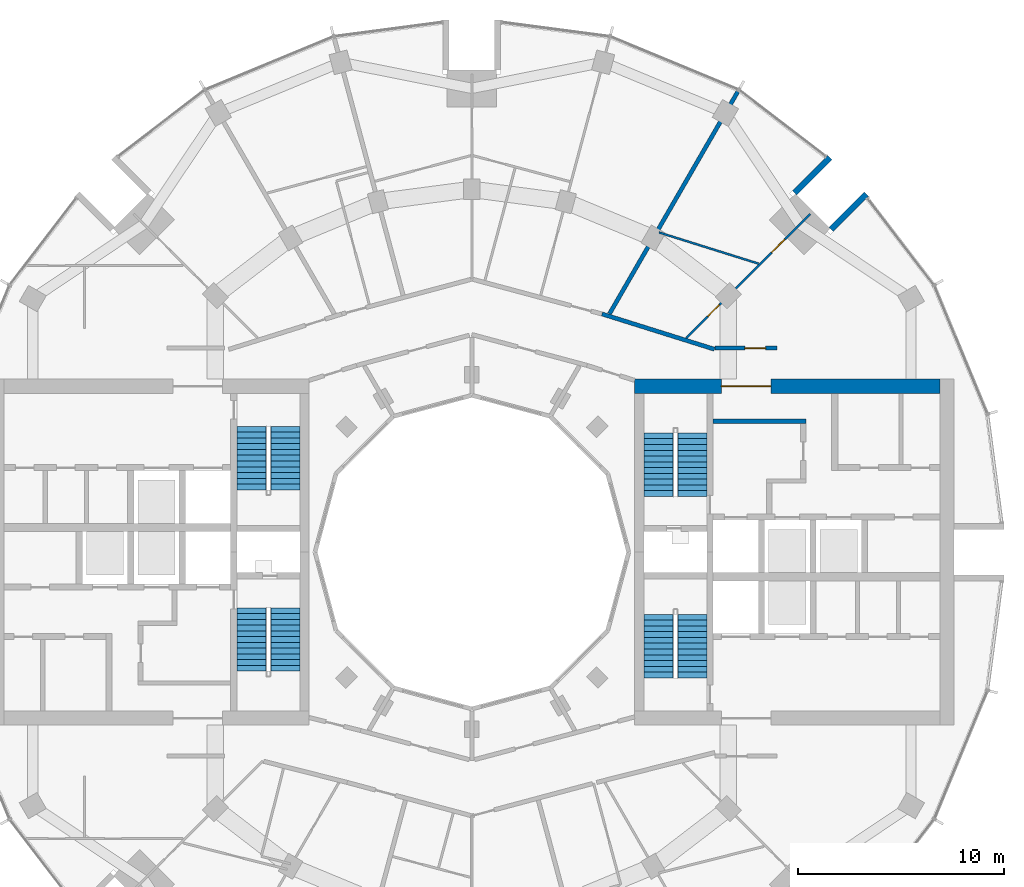
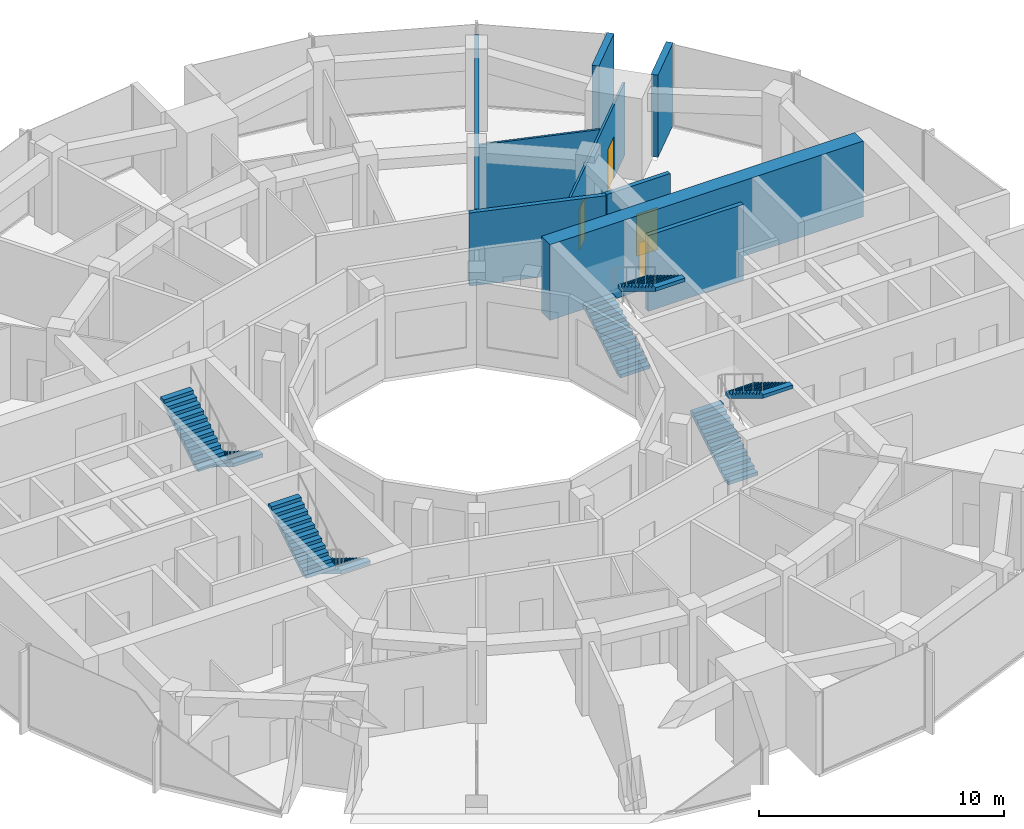
# One storey, part 13 of 15: 9 walls, 8 stair flights, 4 doors, 4 openings, 4 elements without a shape of their own.
"""IFC4 building model written with IfcOpenShell, lengths in metres."""

from ifc_helpers import new_model, si_unit, direction, frame, frame_2d, origin, place, context, subcontext, project, spatial, polyline, rectangle, outline, extrude, material, layer, layer_set, type_object, element, fill, aggregate, save


model = new_model("IFC4")

# Units and contexts
model_context = context("Model", 3, precision=1e-05, world=origin(), true_north=direction((0.0, 1.0)))
body_context = subcontext(model_context, "Body", "Model", "MODEL_VIEW")
ifc_project = project(units=[si_unit("LENGTHUNIT", "METRE"), si_unit("AREAUNIT", "SQUARE_METRE"), si_unit("VOLUMEUNIT", "CUBIC_METRE"), si_unit("PLANEANGLEUNIT", "RADIAN"), si_unit("MASSUNIT", "GRAM", prefix="KILO")], contexts=[model_context])

# Site, building, storey
site_placement = place(None, origin())
site = spatial("IfcSite", under=ifc_project, at=site_placement, CompositionType="ELEMENT")
building_placement = place(site_placement, origin())
building = spatial("IfcBuilding", under=site, at=building_placement, Name="Torre Brocal", CompositionType="ELEMENT")
storey_placement = place(building_placement, frame((0.0, 0.0, 186.39990234375)))
storey = spatial("IfcBuildingStorey", under=building, at=storey_placement, Name="L43", CompositionType="ELEMENT", Elevation=186.39990234375)

# Wall
ifc_material_1 = material(Name="Concrete C70", Category="concrete")
ifc_layer_1 = layer(ifc_material_1, 0.199951171875)
ifc_layer_set_1 = layer_set([ifc_layer_1], Name="Concrete C70")
wall_type_1 = type_object("IfcWallType", Name="CORE WALL 200 C70", PredefinedType="SHEAR", material=ifc_layer_set_1)
wall_1_placement = place(storey_placement, frame((91.699951171875, 81.35009765625, 0.0), z_axis=(0.0, 0.0, 1.0), x_axis=(1.0, 0.0, 0.0)))
element("IfcWall", 1, at=wall_1_placement, inside=storey, type_object=wall_type_1, Name="Wall CW200-70", PredefinedType="SHEAR", context=body_context, shape_type="SweptSolid", body=[
    extrude(rectangle(XDim=4.5, YDim=0.199951171875, at=frame_2d((2.25, 0.0))), origin(), (0.0, 0.0, 1.0), 3.780029296875),
])

# Wall, opening, door
ifc_material_2 = material(Name="Concrete C70", Category="concrete")
ifc_layer_2 = layer(ifc_material_2, 0.699951171875)
ifc_layer_set_2 = layer_set([ifc_layer_2], Name="Concrete C70")
wall_type_2 = type_object("IfcWallType", Name="CORE WALL 700 C70", PredefinedType="SHEAR", material=ifc_layer_set_2)
wall_2_placement = place(storey_placement, frame((87.89990234375, 83.050048828125, 0.0), z_axis=(0.0, 0.0, 1.0), x_axis=(1.0, 0.0, 0.0)))
wall_2 = element("IfcWall", 2, at=wall_2_placement, inside=storey, type_object=wall_type_2, Name="Wall CW700-70", PredefinedType="SHEAR", context=body_context, shape_type="SweptSolid", body=[
    extrude(rectangle(XDim=14.800048828125, YDim=0.699951171875, at=frame_2d((7.39990234375, 0.0))), origin(), (0.0, 0.0, 1.0), 3.780029296875),
])
opening_1_placement = place(wall_2_placement, frame((4.199951171875, 0.0, 0.0)))
opening_1 = element("IfcOpeningElement", 3, at=opening_1_placement, cuts=wall_2, Name="Opening E-D34", PredefinedType="OPENING", context=body_context, shape_type="SweptSolid", body=[
    extrude(rectangle(XDim=2.39990234375, YDim=2.39990234375, at=frame_2d((1.199951171875, 1.199951171875))), frame((0.0, 0.35986328125, 0.0), z_axis=(0.0, -1.0, 0.0), x_axis=(1.0, 0.0, 0.0)), (0.0, 0.0, 1.0), 0.719970703125),
])
ifc_material_3 = material(Name="Steel A653", Category="steel")
door_type_1 = type_object("IfcDoorType", Name="DOUBLE FIRE DOOR FD90 2400X2400", OperationType="DOUBLE_DOOR_SINGLE_SWING", PredefinedType="DOOR", material=ifc_material_3)
door_1_placement = place(opening_1_placement, frame((2.39990234375, 0.0, 0.0), z_axis=(0.0, 0.0, 1.0), x_axis=(-1.0, 0.0, 0.0)))
door_1 = element("IfcDoor", 4, at=door_1_placement, inside=storey, type_object=door_type_1, Name="Door E-D34", OperationType="DOUBLE_DOOR_SINGLE_SWING", OverallHeight=2.39990234375, OverallWidth=2.39990234375, PredefinedType="DOOR", context=body_context, shape_type="SweptSolid", body=[
    extrude(rectangle(XDim=2.39990234375, YDim=2.39990234375, at=frame_2d((1.199951171875, 1.199951171875))), frame((0.0, 0.02490234375, 0.0), z_axis=(0.0, -1.0, 0.0), x_axis=(1.0, 0.0, 0.0)), (0.0, 0.0, 1.0), 0.050048828125),
])
fill(opening_1, door_1)

# Walls
ifc_material_4 = material(Name="Concrete C70", Category="concrete")
ifc_layer_3 = layer(ifc_material_4, 0.300048828125)
ifc_layer_set_3 = layer_set([ifc_layer_3], Name="Concrete C70")
wall_type_3 = type_object("IfcWallType", Name="NOTCH RETURN WALL 300 C70", PredefinedType="NOTDEFINED", material=ifc_layer_set_3)
for number, where, z_axis, x_axis, name in (
    (5, (97.43017578125, 90.662353515625, 0.0), (0.0, 0.0, 1.0), (0.707106781187, 0.707106781187, 0.0), "NOTCH RETURN WALL"),
    (6, (95.662353515625, 92.43017578125, 0.0), (0.0, 0.0, 1.0), (0.707106781187, 0.707106781187, 0.0), "NOTCH RETURN WALL"),
):
    element("IfcWall", number, at=place(storey_placement, frame(where, z_axis=z_axis, x_axis=x_axis)), inside=storey, type_object=wall_type_3, Name=name, PredefinedType="NOTDEFINED", context=body_context, shape_type="SweptSolid", body=[
        extrude(rectangle(XDim=2.415771484375, YDim=0.300048828125, at=frame_2d((1.2080078125, 0.0))), origin(), (0.0, 0.0, 1.0), 4.10009765625),
    ])
ifc_material_5 = material(Name="Gypsum board", Category="Gypsum")
ifc_layer_4 = layer(ifc_material_5, 0.10009765625)
ifc_layer_set_4 = layer_set([ifc_layer_4], Name="Gypsum board")
wall_type_4 = type_object("IfcWallType", Name="PARTITION 100", PredefinedType="PARTITIONING", material=ifc_layer_set_4)
wall_3_placement = place(storey_placement, frame((89.077880859375, 90.508056640625, 0.0), z_axis=(0.0, 0.0, 1.0), x_axis=(0.954199699612, -0.299170408398, 0.0)))
element("IfcWall", 7, at=wall_3_placement, inside=storey, type_object=wall_type_4, Name="BATHROOM WALL", PredefinedType="PARTITIONING", context=body_context, shape_type="SweptSolid", body=[
    extrude(rectangle(XDim=5.060302734375, YDim=0.10009765625, at=frame_2d((2.5302734375, 0.0))), origin(), (0.0, 0.0, 1.0), 3.650146484375),
])

# Wall, openings, doors
wall_4_placement = place(storey_placement, frame((90.39697265625, 85.392822265625, 0.0), z_axis=(0.0, 0.0, 1.0), x_axis=(0.707264750546, 0.706948776529, 0.0)))
wall_4 = element("IfcWall", 8, at=wall_4_placement, inside=storey, type_object=wall_type_4, Name="BATHROOM WALL", PredefinedType="PARTITIONING", context=body_context, shape_type="SweptSolid", body=[
    extrude(rectangle(XDim=8.499267578125, YDim=0.10009765625, at=frame_2d((4.24951171875, 0.0))), origin(), (0.0, 0.0, 1.0), 3.650146484375),
])
opening_2_placement = place(wall_4_placement, frame((5.856689453125, 0.0, 0.0)))
opening_2 = element("IfcOpeningElement", 9, at=opening_2_placement, cuts=wall_4, Name="Opening R03-D02", PredefinedType="OPENING", context=body_context, shape_type="SweptSolid", body=[
    extrude(rectangle(XDim=0.89990234375, YDim=2.10009765625, at=frame_2d((0.449951171875, 1.050048828125))), frame((0.0, 0.06005859375, 0.0), z_axis=(0.0, -1.0, 0.0), x_axis=(1.0, 0.0, 0.0)), (0.0, 0.0, 1.0), 0.1201171875),
])
opening_3_placement = place(wall_4_placement, frame((1.4755859375, 0.0, 0.0)))
opening_3 = element("IfcOpeningElement", 10, at=opening_3_placement, cuts=wall_4, Name="Opening R03-D03", PredefinedType="OPENING", context=body_context, shape_type="SweptSolid", body=[
    extrude(rectangle(XDim=0.800048828125, YDim=2.10009765625, at=frame_2d((0.39990234375, 1.050048828125))), frame((0.0, 0.06005859375, 0.0), z_axis=(0.0, -1.0, 0.0), x_axis=(1.0, 0.0, 0.0)), (0.0, 0.0, 1.0), 0.1201171875),
])
ifc_material_6 = material(Name="Timber", Category="wood")
door_type_2 = type_object("IfcDoorType", Name="BATHROOM DOOR 800X2100", OperationType="SINGLE_SWING_LEFT", PredefinedType="DOOR", material=ifc_material_6)
door_2_placement = place(opening_3_placement, origin())
door_2 = element("IfcDoor", 11, at=door_2_placement, inside=storey, type_object=door_type_2, Name="R03-D03", OperationType="SINGLE_SWING_LEFT", OverallHeight=2.10009765625, OverallWidth=0.800048828125, PredefinedType="DOOR", context=body_context, shape_type="SweptSolid", body=[
    extrude(rectangle(XDim=0.800048828125, YDim=2.10009765625, at=frame_2d((0.39990234375, 1.050048828125))), frame((0.0, 0.02490234375, 0.0), z_axis=(0.0, -1.0, 0.0), x_axis=(1.0, 0.0, 0.0)), (0.0, 0.0, 1.0), 0.050048828125),
])
fill(opening_3, door_2)
ifc_material_7 = material(Name="Timber", Category="wood")
door_type_3 = type_object("IfcDoorType", Name="ROOM DOOR 900X2100", OperationType="SINGLE_SWING_LEFT", PredefinedType="DOOR", material=ifc_material_7)
door_3_placement = place(opening_2_placement, frame((0.89990234375, 0.0, 0.0), z_axis=(0.0, 0.0, 1.0), x_axis=(-1.0, 0.0, 0.0)))
door_3 = element("IfcDoor", 12, at=door_3_placement, inside=storey, type_object=door_type_3, Name="R03-D02", OperationType="SINGLE_SWING_LEFT", OverallHeight=2.10009765625, OverallWidth=0.89990234375, PredefinedType="DOOR", context=body_context, shape_type="SweptSolid", body=[
    extrude(rectangle(XDim=0.89990234375, YDim=2.10009765625, at=frame_2d((0.449951171875, 1.050048828125))), frame((0.0, 0.02490234375, 0.0), z_axis=(0.0, -1.0, 0.0), x_axis=(1.0, 0.0, 0.0)), (0.0, 0.0, 1.0), 0.050048828125),
])
fill(opening_2, door_3)

# Walls
ifc_material_8 = material(Name="Gypsum board", Category="Gypsum")
ifc_layer_5 = layer(ifc_material_8, 0.199951171875)
ifc_layer_set_5 = layer_set([ifc_layer_5], Name="Gypsum board")
wall_type_5 = type_object("IfcWallType", Name="PARTITION 200 EI60", PredefinedType="PARTITIONING", material=ifc_layer_set_5)
wall_5_placement = place(storey_placement, frame((86.31298828125, 86.554443359375, 0.0), z_axis=(0.0, 0.0, 1.0), x_axis=(0.954081217458, -0.299548043717, 0.0)))
element("IfcWall", 13, at=wall_5_placement, inside=storey, type_object=wall_type_5, Name="FLAT ENTRANCE WALL", PredefinedType="PARTITIONING", context=body_context, shape_type="SweptSolid", body=[
    extrude(rectangle(XDim=5.720703125, YDim=0.199951171875, at=frame_2d((2.8603515625, 0.0))), origin(), (0.0, 0.0, 1.0), 3.650146484375),
])
wall_6_placement = place(storey_placement, frame((86.67626953125, 86.562744140625, 0.0), z_axis=(0.0, 0.0, 1.0), x_axis=(0.500130524836, 0.865950032119, 0.0)))
element("IfcWall", 14, at=wall_6_placement, inside=storey, type_object=wall_type_5, Name="BATHROOM WALL", PredefinedType="PARTITIONING", context=body_context, shape_type="SweptSolid", body=[
    extrude(rectangle(XDim=12.446044921875, YDim=0.199951171875, at=frame_2d((6.22314453125, 0.0))), origin(), (0.0, 0.0, 1.0), 3.650146484375),
])

# Wall, opening, door
wall_7_placement = place(storey_placement, frame((91.800048828125, 84.89990234375, 0.0), z_axis=(0.0, 0.0, 1.0), x_axis=(1.0, 0.0, 0.0)))
wall_7 = element("IfcWall", 15, at=wall_7_placement, inside=storey, type_object=wall_type_5, Name="FLAT ENTRANCE WALL", PredefinedType="PARTITIONING", context=body_context, shape_type="SweptSolid", body=[
    extrude(rectangle(XDim=3.0, YDim=0.199951171875, at=frame_2d((1.5, 0.0))), origin(), (0.0, 0.0, 1.0), 3.650146484375),
])
opening_4_placement = place(wall_7_placement, frame((1.449951171875, 0.0, 0.0)))
opening_4 = element("IfcOpeningElement", 16, at=opening_4_placement, cuts=wall_7, Name="Opening R03-D01", PredefinedType="OPENING", context=body_context, shape_type="SweptSolid", body=[
    extrude(rectangle(XDim=1.0, YDim=2.10009765625, at=frame_2d((0.5, 1.050048828125))), frame((0.0, 0.10986328125, 0.0), z_axis=(0.0, -1.0, 0.0), x_axis=(1.0, 0.0, 0.0)), (0.0, 0.0, 1.0), 0.219970703125),
])
ifc_material_9 = material(Name="Timber", Category="wood")
door_type_4 = type_object("IfcDoorType", Name="FLAT ENTRY DOOR FD30S 1000X2100", OperationType="SINGLE_SWING_RIGHT", PredefinedType="DOOR", material=ifc_material_9)
door_4_placement = place(opening_4_placement, origin())
door_4 = element("IfcDoor", 17, at=door_4_placement, inside=storey, type_object=door_type_4, Name="R03-D01", OperationType="SINGLE_SWING_LEFT", OverallHeight=2.10009765625, OverallWidth=1.0, PredefinedType="DOOR", context=body_context, shape_type="SweptSolid", body=[
    extrude(rectangle(XDim=1.0, YDim=2.10009765625, at=frame_2d((0.5, 1.050048828125))), frame((0.0, 0.02490234375, 0.0), z_axis=(0.0, -1.0, 0.0), x_axis=(1.0, 0.0, 0.0)), (0.0, 0.0, 1.0), 0.050048828125),
])
fill(opening_4, door_4)

# Stair, stair flights
ifc_material_10 = material(Name="Concrete C50", Category="concrete")
stair_type = type_object("IfcStairType", Name="EXIT STAIR", PredefinedType="HALF_TURN_STAIR", material=ifc_material_10)
stair_1_placement = place(storey_placement, origin())
stair_1 = element("IfcStair", 18, at=stair_1_placement, inside=storey, type_object=stair_type, Name="EXIT STAIR ST1", PredefinedType="HALF_TURN_STAIR")
ifc_material_11 = material(Name="Concrete C50", Category="concrete")
ifc_layer_6 = layer(ifc_material_11, 0.14990234375)
ifc_layer_set_6 = layer_set([ifc_layer_6], Name="Concrete C50")
stair_flight_type = type_object("IfcStairFlightType", Name="STAIR FLIGHT", PredefinedType="STRAIGHT", material=ifc_layer_set_6)
stair_flight_1_placement = place(storey_placement, frame((89.050048828125, 77.699951171875, 0.0), z_axis=(0.0, 0.0, 1.0), x_axis=(0.0, 1.0, 0.0)))
stair_flight_1 = element("IfcStairFlight", 19, at=stair_flight_1_placement, type_object=stair_flight_type, Name="ST1 flight 1", NumberOfRisers=12, NumberOfTreads=11, PredefinedType="STRAIGHT", RiserHeight=0.170833333, TreadLength=0.28, context=body_context, shape_type="SweptSolid", body=[
    extrude(outline(polyline([(0.0, 0.0), (0.0, 0.1708984375), (0.280029296875, 0.1708984375), (0.280029296875, 0.341552734375), (0.56005859375, 0.341552734375), (0.56005859375, 0.512451171875), (0.840087890625, 0.512451171875), (0.840087890625, 0.683349609375), (1.1201171875, 0.683349609375), (1.1201171875, 0.854248046875), (1.39990234375, 0.854248046875), (1.39990234375, 1.02490234375), (1.679931640625, 1.02490234375), (1.679931640625, 1.19580078125), (1.9599609375, 1.19580078125), (1.9599609375, 1.36669921875), (2.239990234375, 1.36669921875), (2.239990234375, 1.53759765625), (2.52001953125, 1.53759765625), (2.52001953125, 1.708251953125), (2.800048828125, 1.708251953125), (2.800048828125, 1.879150390625), (3.080078125, 1.879150390625), (3.080078125, 2.050048828125), (3.080078125, 1.70361328125), (0.287841796875, 0.0), (0.0, 0.0)])), frame((0.0, 0.699951171875, 0.0), z_axis=(0.0, -1.0, 0.0), x_axis=(1.0, 0.0, 0.0)), (0.0, 0.0, 1.0), 1.39990234375),
])
stair_flight_2_placement = place(storey_placement, frame((90.699951171875, 80.780029296875, 2.050048828125), z_axis=(0.0, 0.0, 1.0), x_axis=(0.0, -1.0, 0.0)))
stair_flight_2 = element("IfcStairFlight", 20, at=stair_flight_2_placement, type_object=stair_flight_type, Name="ST1 flight 2", NumberOfRisers=12, NumberOfTreads=11, PredefinedType="STRAIGHT", RiserHeight=0.170833333, TreadLength=0.28, context=body_context, shape_type="SweptSolid", body=[
    extrude(outline(polyline([(0.0, 0.0), (0.0, 0.1708984375), (0.280029296875, 0.1708984375), (0.280029296875, 0.341552734375), (0.56005859375, 0.341552734375), (0.56005859375, 0.512451171875), (0.840087890625, 0.512451171875), (0.840087890625, 0.683349609375), (1.1201171875, 0.683349609375), (1.1201171875, 0.854248046875), (1.39990234375, 0.854248046875), (1.39990234375, 1.02490234375), (1.679931640625, 1.02490234375), (1.679931640625, 1.19580078125), (1.9599609375, 1.19580078125), (1.9599609375, 1.36669921875), (2.239990234375, 1.36669921875), (2.239990234375, 1.53759765625), (2.52001953125, 1.53759765625), (2.52001953125, 1.708251953125), (2.800048828125, 1.708251953125), (2.800048828125, 1.879150390625), (3.080078125, 1.879150390625), (3.080078125, 2.050048828125), (3.080078125, 1.70361328125), (0.287841796875, 0.0), (0.0, 0.0)])), frame((0.0, 0.699951171875, 0.0), z_axis=(0.0, -1.0, 0.0), x_axis=(1.0, 0.0, 0.0)), (0.0, 0.0, 1.0), 1.39990234375),
])
aggregate(stair_1, [stair_flight_1, stair_flight_2])

stair_2_placement = place(storey_placement, origin())
stair_2 = element("IfcStair", 21, at=stair_2_placement, inside=storey, type_object=stair_type, Name="EXIT STAIR ST2", PredefinedType="HALF_TURN_STAIR")
stair_flight_3_placement = place(storey_placement, frame((89.050048828125, 68.89990234375, 0.0), z_axis=(0.0, 0.0, 1.0), x_axis=(0.0, 1.0, 0.0)))
stair_flight_3 = element("IfcStairFlight", 22, at=stair_flight_3_placement, type_object=stair_flight_type, Name="ST2 flight 1", NumberOfRisers=12, NumberOfTreads=11, PredefinedType="STRAIGHT", RiserHeight=0.170833333, TreadLength=0.28, context=body_context, shape_type="SweptSolid", body=[
    extrude(outline(polyline([(0.0, 0.0), (0.0, 0.1708984375), (0.280029296875, 0.1708984375), (0.280029296875, 0.341552734375), (0.56005859375, 0.341552734375), (0.56005859375, 0.512451171875), (0.840087890625, 0.512451171875), (0.840087890625, 0.683349609375), (1.1201171875, 0.683349609375), (1.1201171875, 0.854248046875), (1.39990234375, 0.854248046875), (1.39990234375, 1.02490234375), (1.679931640625, 1.02490234375), (1.679931640625, 1.19580078125), (1.9599609375, 1.19580078125), (1.9599609375, 1.36669921875), (2.239990234375, 1.36669921875), (2.239990234375, 1.53759765625), (2.52001953125, 1.53759765625), (2.52001953125, 1.708251953125), (2.800048828125, 1.708251953125), (2.800048828125, 1.879150390625), (3.080078125, 1.879150390625), (3.080078125, 2.050048828125), (3.080078125, 1.70361328125), (0.287841796875, 0.0), (0.0, 0.0)])), frame((0.0, 0.699951171875, 0.0), z_axis=(0.0, -1.0, 0.0), x_axis=(1.0, 0.0, 0.0)), (0.0, 0.0, 1.0), 1.39990234375),
])
stair_flight_4_placement = place(storey_placement, frame((90.699951171875, 71.97998046875, 2.050048828125), z_axis=(0.0, 0.0, 1.0), x_axis=(0.0, -1.0, 0.0)))
stair_flight_4 = element("IfcStairFlight", 23, at=stair_flight_4_placement, type_object=stair_flight_type, Name="ST2 flight 2", NumberOfRisers=12, NumberOfTreads=11, PredefinedType="STRAIGHT", RiserHeight=0.170833333, TreadLength=0.28, context=body_context, shape_type="SweptSolid", body=[
    extrude(outline(polyline([(0.0, 0.0), (0.0, 0.1708984375), (0.280029296875, 0.1708984375), (0.280029296875, 0.341552734375), (0.56005859375, 0.341552734375), (0.56005859375, 0.512451171875), (0.840087890625, 0.512451171875), (0.840087890625, 0.683349609375), (1.1201171875, 0.683349609375), (1.1201171875, 0.854248046875), (1.39990234375, 0.854248046875), (1.39990234375, 1.02490234375), (1.679931640625, 1.02490234375), (1.679931640625, 1.19580078125), (1.9599609375, 1.19580078125), (1.9599609375, 1.36669921875), (2.239990234375, 1.36669921875), (2.239990234375, 1.53759765625), (2.52001953125, 1.53759765625), (2.52001953125, 1.708251953125), (2.800048828125, 1.708251953125), (2.800048828125, 1.879150390625), (3.080078125, 1.879150390625), (3.080078125, 2.050048828125), (3.080078125, 1.70361328125), (0.287841796875, 0.0), (0.0, 0.0)])), frame((0.0, 0.699951171875, 0.0), z_axis=(0.0, -1.0, 0.0), x_axis=(1.0, 0.0, 0.0)), (0.0, 0.0, 1.0), 1.39990234375),
])
aggregate(stair_2, [stair_flight_3, stair_flight_4])

stair_3_placement = place(storey_placement, origin())
stair_3 = element("IfcStair", 24, at=stair_3_placement, inside=storey, type_object=stair_type, Name="EXIT STAIR ST3", PredefinedType="HALF_TURN_STAIR")
stair_flight_5_placement = place(storey_placement, frame((70.949951171875, 72.300048828125, 0.0), z_axis=(0.0, 0.0, 1.0), x_axis=(0.0, -1.0, 0.0)))
stair_flight_5 = element("IfcStairFlight", 25, at=stair_flight_5_placement, type_object=stair_flight_type, Name="ST3 flight 1", NumberOfRisers=12, NumberOfTreads=11, PredefinedType="STRAIGHT", RiserHeight=0.170833333, TreadLength=0.28, context=body_context, shape_type="SweptSolid", body=[
    extrude(outline(polyline([(0.0, 0.0), (0.0, 0.1708984375), (0.280029296875, 0.1708984375), (0.280029296875, 0.341552734375), (0.56005859375, 0.341552734375), (0.56005859375, 0.512451171875), (0.840087890625, 0.512451171875), (0.840087890625, 0.683349609375), (1.1201171875, 0.683349609375), (1.1201171875, 0.854248046875), (1.39990234375, 0.854248046875), (1.39990234375, 1.02490234375), (1.679931640625, 1.02490234375), (1.679931640625, 1.19580078125), (1.9599609375, 1.19580078125), (1.9599609375, 1.36669921875), (2.239990234375, 1.36669921875), (2.239990234375, 1.53759765625), (2.52001953125, 1.53759765625), (2.52001953125, 1.708251953125), (2.800048828125, 1.708251953125), (2.800048828125, 1.879150390625), (3.080078125, 1.879150390625), (3.080078125, 2.050048828125), (3.080078125, 1.70361328125), (0.287841796875, 0.0), (0.0, 0.0)])), frame((0.0, 0.699951171875, 0.0), z_axis=(0.0, -1.0, 0.0), x_axis=(1.0, 0.0, 0.0)), (0.0, 0.0, 1.0), 1.39990234375),
])
stair_flight_6_placement = place(storey_placement, frame((69.300048828125, 69.219970703125, 2.050048828125), z_axis=(0.0, 0.0, 1.0), x_axis=(0.0, 1.0, 0.0)))
stair_flight_6 = element("IfcStairFlight", 26, at=stair_flight_6_placement, type_object=stair_flight_type, Name="ST3 flight 2", NumberOfRisers=12, NumberOfTreads=11, PredefinedType="STRAIGHT", RiserHeight=0.170833333, TreadLength=0.28, context=body_context, shape_type="SweptSolid", body=[
    extrude(outline(polyline([(0.0, 0.0), (0.0, 0.1708984375), (0.280029296875, 0.1708984375), (0.280029296875, 0.341552734375), (0.56005859375, 0.341552734375), (0.56005859375, 0.512451171875), (0.840087890625, 0.512451171875), (0.840087890625, 0.683349609375), (1.1201171875, 0.683349609375), (1.1201171875, 0.854248046875), (1.39990234375, 0.854248046875), (1.39990234375, 1.02490234375), (1.679931640625, 1.02490234375), (1.679931640625, 1.19580078125), (1.9599609375, 1.19580078125), (1.9599609375, 1.36669921875), (2.239990234375, 1.36669921875), (2.239990234375, 1.53759765625), (2.52001953125, 1.53759765625), (2.52001953125, 1.708251953125), (2.800048828125, 1.708251953125), (2.800048828125, 1.879150390625), (3.080078125, 1.879150390625), (3.080078125, 2.050048828125), (3.080078125, 1.70361328125), (0.287841796875, 0.0), (0.0, 0.0)])), frame((0.0, 0.699951171875, 0.0), z_axis=(0.0, -1.0, 0.0), x_axis=(1.0, 0.0, 0.0)), (0.0, 0.0, 1.0), 1.39990234375),
])
aggregate(stair_3, [stair_flight_5, stair_flight_6])

stair_4_placement = place(storey_placement, origin())
stair_4 = element("IfcStair", 27, at=stair_4_placement, inside=storey, type_object=stair_type, Name="EXIT STAIR ST4", PredefinedType="HALF_TURN_STAIR")
stair_flight_7_placement = place(storey_placement, frame((70.949951171875, 81.10009765625, 0.0), z_axis=(0.0, 0.0, 1.0), x_axis=(0.0, -1.0, 0.0)))
stair_flight_7 = element("IfcStairFlight", 28, at=stair_flight_7_placement, type_object=stair_flight_type, Name="ST4 flight 1", NumberOfRisers=12, NumberOfTreads=11, PredefinedType="STRAIGHT", RiserHeight=0.170833333, TreadLength=0.28, context=body_context, shape_type="SweptSolid", body=[
    extrude(outline(polyline([(0.0, 0.0), (0.0, 0.1708984375), (0.280029296875, 0.1708984375), (0.280029296875, 0.341552734375), (0.56005859375, 0.341552734375), (0.56005859375, 0.512451171875), (0.840087890625, 0.512451171875), (0.840087890625, 0.683349609375), (1.1201171875, 0.683349609375), (1.1201171875, 0.854248046875), (1.39990234375, 0.854248046875), (1.39990234375, 1.02490234375), (1.679931640625, 1.02490234375), (1.679931640625, 1.19580078125), (1.9599609375, 1.19580078125), (1.9599609375, 1.36669921875), (2.239990234375, 1.36669921875), (2.239990234375, 1.53759765625), (2.52001953125, 1.53759765625), (2.52001953125, 1.708251953125), (2.800048828125, 1.708251953125), (2.800048828125, 1.879150390625), (3.080078125, 1.879150390625), (3.080078125, 2.050048828125), (3.080078125, 1.70361328125), (0.287841796875, 0.0), (0.0, 0.0)])), frame((0.0, 0.699951171875, 0.0), z_axis=(0.0, -1.0, 0.0), x_axis=(1.0, 0.0, 0.0)), (0.0, 0.0, 1.0), 1.39990234375),
])
stair_flight_8_placement = place(storey_placement, frame((69.300048828125, 78.02001953125, 2.050048828125), z_axis=(0.0, 0.0, 1.0), x_axis=(0.0, 1.0, 0.0)))
stair_flight_8 = element("IfcStairFlight", 29, at=stair_flight_8_placement, type_object=stair_flight_type, Name="ST4 flight 2", NumberOfRisers=12, NumberOfTreads=11, PredefinedType="STRAIGHT", RiserHeight=0.170833333, TreadLength=0.28, context=body_context, shape_type="SweptSolid", body=[
    extrude(outline(polyline([(0.0, 0.0), (0.0, 0.1708984375), (0.280029296875, 0.1708984375), (0.280029296875, 0.341552734375), (0.56005859375, 0.341552734375), (0.56005859375, 0.512451171875), (0.840087890625, 0.512451171875), (0.840087890625, 0.683349609375), (1.1201171875, 0.683349609375), (1.1201171875, 0.854248046875), (1.39990234375, 0.854248046875), (1.39990234375, 1.02490234375), (1.679931640625, 1.02490234375), (1.679931640625, 1.19580078125), (1.9599609375, 1.19580078125), (1.9599609375, 1.36669921875), (2.239990234375, 1.36669921875), (2.239990234375, 1.53759765625), (2.52001953125, 1.53759765625), (2.52001953125, 1.708251953125), (2.800048828125, 1.708251953125), (2.800048828125, 1.879150390625), (3.080078125, 1.879150390625), (3.080078125, 2.050048828125), (3.080078125, 1.70361328125), (0.287841796875, 0.0), (0.0, 0.0)])), frame((0.0, 0.699951171875, 0.0), z_axis=(0.0, -1.0, 0.0), x_axis=(1.0, 0.0, 0.0)), (0.0, 0.0, 1.0), 1.39990234375),
])
aggregate(stair_4, [stair_flight_7, stair_flight_8])

save(model, "model.ifc")
